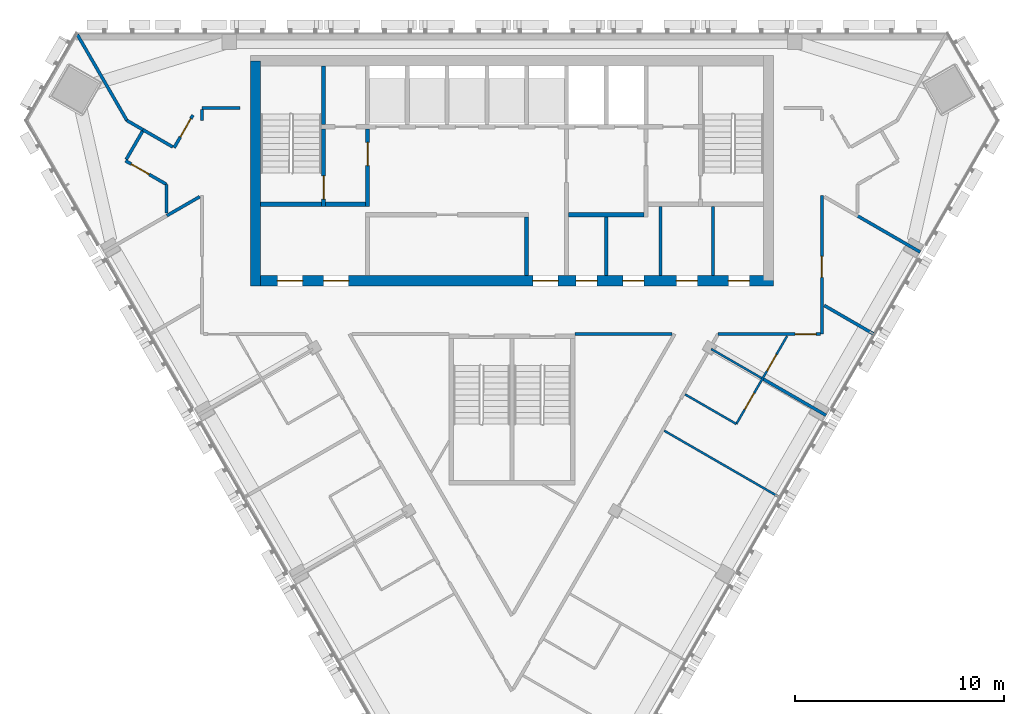
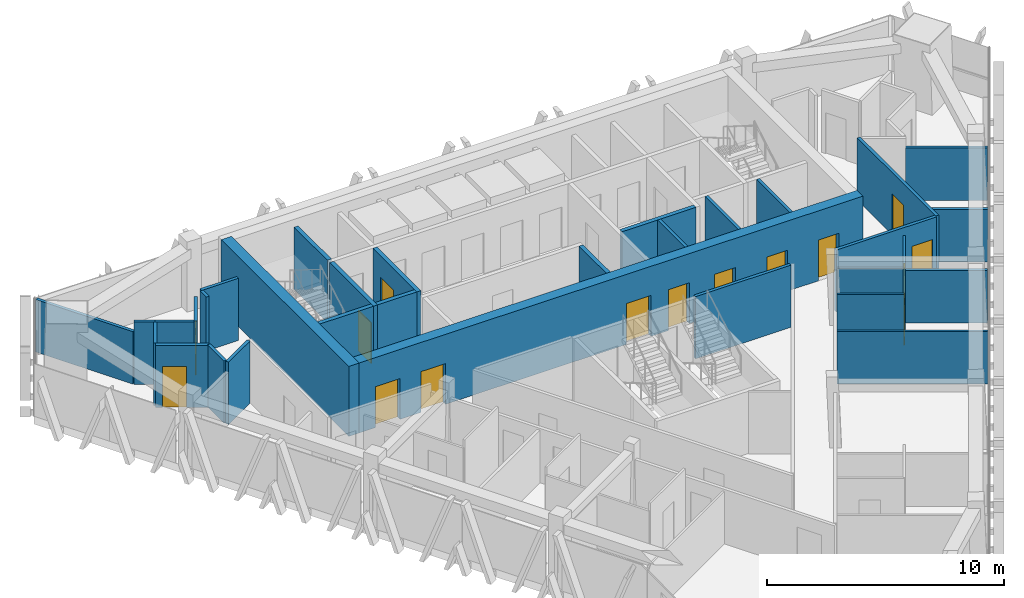
# One storey, part 9 of 14: 32 walls, 15 doors, 15 openings.
"""IFC4 building model written with IfcOpenShell, lengths in metres."""

from ifc_helpers import new_model, si_unit, direction, frame, frame_2d, origin, place, context, subcontext, project, spatial, rectangle, extrude, material, layer, layer_set, type_object, element, fill, save


model = new_model("IFC4")

# Units and contexts
model_context = context("Model", 3, precision=1e-05, world=origin(), true_north=direction((0.0, 1.0)))
body_context = subcontext(model_context, "Body", "Model", "MODEL_VIEW")
ifc_project = project(units=[si_unit("LENGTHUNIT", "METRE"), si_unit("AREAUNIT", "SQUARE_METRE"), si_unit("VOLUMEUNIT", "CUBIC_METRE"), si_unit("PLANEANGLEUNIT", "RADIAN"), si_unit("MASSUNIT", "GRAM", prefix="KILO")], contexts=[model_context])

# Site, building, storey
site_placement = place(None, origin())
site = spatial("IfcSite", under=ifc_project, at=site_placement, CompositionType="ELEMENT")
building_placement = place(site_placement, origin())
building = spatial("IfcBuilding", under=site, at=building_placement, Name="Altiplano Prism Tower", CompositionType="ELEMENT")
storey_placement = place(building_placement, frame((0.0, 0.0, 268.0)))
storey = spatial("IfcBuildingStorey", under=building, at=storey_placement, Name="L69", CompositionType="ELEMENT", Elevation=268.0)

# Wall, openings, doors
ifc_material_1 = material(Name="Concrete C60/75", Category="concrete")
ifc_layer_1 = layer(ifc_material_1, 0.5)
ifc_layer_set_1 = layer_set([ifc_layer_1], Name="Concrete C60/75")
wall_type_1 = type_object("IfcWallType", Name="Core wall 500", PredefinedType="SHEAR", material=ifc_layer_set_1)
wall_1_placement = place(storey_placement, frame((72.75, 93.14990234375, 0.0), z_axis=(0.0, 0.0, 1.0), x_axis=(1.0, 0.0, 0.0)))
wall_1 = element("IfcWall", 1, at=wall_1_placement, inside=storey, type_object=wall_type_1, Name="Core wall S L69", PredefinedType="SHEAR", context=body_context, shape_type="SweptSolid", body=[
    extrude(rectangle(XDim=24.75, YDim=0.5, at=frame_2d((12.375, 0.0))), origin(), (0.0, 0.0, 1.0), 3.60009765625),
])
opening_1_placement = place(wall_1_placement, frame((1.050048828125, 0.0, 0.0)))
opening_1 = element("IfcOpeningElement", 2, at=opening_1_placement, cuts=wall_1, Name="Opening D3552", PredefinedType="OPENING", context=body_context, shape_type="SweptSolid", body=[
    extrude(rectangle(XDim=1.199951171875, YDim=2.10009765625, at=frame_2d((0.60009765625, 1.050048828125))), frame((0.0, 0.260498046875, 0.0), z_axis=(0.0, -1.0, 0.0), x_axis=(1.0, 0.0, 0.0)), (0.0, 0.0, 1.0), 0.52099609375),
])
opening_2_placement = place(wall_1_placement, frame((3.25, 0.0, 0.0)))
opening_2 = element("IfcOpeningElement", 3, at=opening_2_placement, cuts=wall_1, Name="Opening D3553", PredefinedType="OPENING", context=body_context, shape_type="SweptSolid", body=[
    extrude(rectangle(XDim=1.199951171875, YDim=2.10009765625, at=frame_2d((0.60009765625, 1.050048828125))), frame((0.0, 0.260498046875, 0.0), z_axis=(0.0, -1.0, 0.0), x_axis=(1.0, 0.0, 0.0)), (0.0, 0.0, 1.0), 0.52099609375),
])
opening_3_placement = place(wall_1_placement, frame((13.25, 0.0, 0.0)))
opening_3 = element("IfcOpeningElement", 4, at=opening_3_placement, cuts=wall_1, Name="Opening D3554", PredefinedType="OPENING", context=body_context, shape_type="SweptSolid", body=[
    extrude(rectangle(XDim=1.199951171875, YDim=2.10009765625, at=frame_2d((0.60009765625, 1.050048828125))), frame((0.0, 0.260498046875, 0.0), z_axis=(0.0, -1.0, 0.0), x_axis=(1.0, 0.0, 0.0)), (0.0, 0.0, 1.0), 0.52099609375),
])
opening_4_placement = place(wall_1_placement, frame((15.3125, 0.0, 0.0)))
opening_4 = element("IfcOpeningElement", 5, at=opening_4_placement, cuts=wall_1, Name="Opening D3557", PredefinedType="OPENING", context=body_context, shape_type="SweptSolid", body=[
    extrude(rectangle(XDim=1.0, YDim=2.10009765625, at=frame_2d((0.5, 1.050048828125))), frame((0.0, 0.260498046875, 0.0), z_axis=(0.0, -1.0, 0.0), x_axis=(1.0, 0.0, 0.0)), (0.0, 0.0, 1.0), 0.52099609375),
])
opening_5_placement = place(wall_1_placement, frame((17.550048828125, 0.0, 0.0)))
opening_5 = element("IfcOpeningElement", 6, at=opening_5_placement, cuts=wall_1, Name="Opening D3558", PredefinedType="OPENING", context=body_context, shape_type="SweptSolid", body=[
    extrude(rectangle(XDim=1.0, YDim=2.10009765625, at=frame_2d((0.5, 1.050048828125))), frame((0.0, 0.260498046875, 0.0), z_axis=(0.0, -1.0, 0.0), x_axis=(1.0, 0.0, 0.0)), (0.0, 0.0, 1.0), 0.52099609375),
])
opening_6_placement = place(wall_1_placement, frame((20.10009765625, 0.0, 0.0)))
opening_6 = element("IfcOpeningElement", 7, at=opening_6_placement, cuts=wall_1, Name="Opening D3559", PredefinedType="OPENING", context=body_context, shape_type="SweptSolid", body=[
    extrude(rectangle(XDim=1.0, YDim=2.10009765625, at=frame_2d((0.5, 1.050048828125))), frame((0.0, 0.260498046875, 0.0), z_axis=(0.0, -1.0, 0.0), x_axis=(1.0, 0.0, 0.0)), (0.0, 0.0, 1.0), 0.52099609375),
])
opening_7_placement = place(wall_1_placement, frame((22.58740234375, 0.0, 0.0)))
opening_7 = element("IfcOpeningElement", 8, at=opening_7_placement, cuts=wall_1, Name="Opening D3560", PredefinedType="OPENING", context=body_context, shape_type="SweptSolid", body=[
    extrude(rectangle(XDim=1.0, YDim=2.10009765625, at=frame_2d((0.5, 1.050048828125))), frame((0.0, 0.260498046875, 0.0), z_axis=(0.0, -1.0, 0.0), x_axis=(1.0, 0.0, 0.0)), (0.0, 0.0, 1.0), 0.52099609375),
])
ifc_material_2 = material(Name="Fire-rated steel door", Category="steel")
door_type_1 = type_object("IfcDoorType", Name="Core room door 1000 x 2100", OperationType="NOTDEFINED", PredefinedType="NOTDEFINED", material=ifc_material_2)
door_1_placement = place(opening_4_placement, origin())
door_1 = element("IfcDoor", 9, at=door_1_placement, inside=storey, type_object=door_type_1, Name="Core room door D3557", OperationType="SINGLE_SWING_RIGHT", OverallHeight=2.10009765625, OverallWidth=1.0, PredefinedType="NOTDEFINED", context=body_context, shape_type="SweptSolid", body=[
    extrude(rectangle(XDim=1.0, YDim=2.10009765625, at=frame_2d((0.5, 1.050048828125))), frame((0.0, 0.02490234375, 0.0), z_axis=(0.0, -1.0, 0.0), x_axis=(1.0, 0.0, 0.0)), (0.0, 0.0, 1.0), 0.050048828125),
])
fill(opening_4, door_1)
door_2_placement = place(opening_5_placement, origin())
door_2 = element("IfcDoor", 10, at=door_2_placement, inside=storey, type_object=door_type_1, Name="Core room door D3558", OperationType="SINGLE_SWING_LEFT", OverallHeight=2.10009765625, OverallWidth=1.0, PredefinedType="NOTDEFINED", context=body_context, shape_type="SweptSolid", body=[
    extrude(rectangle(XDim=1.0, YDim=2.10009765625, at=frame_2d((0.5, 1.050048828125))), frame((0.0, 0.02490234375, 0.0), z_axis=(0.0, -1.0, 0.0), x_axis=(1.0, 0.0, 0.0)), (0.0, 0.0, 1.0), 0.050048828125),
])
fill(opening_5, door_2)
door_3_placement = place(opening_6_placement, origin())
door_3 = element("IfcDoor", 11, at=door_3_placement, inside=storey, type_object=door_type_1, Name="Core room door D3559", OperationType="SINGLE_SWING_RIGHT", OverallHeight=2.10009765625, OverallWidth=1.0, PredefinedType="NOTDEFINED", context=body_context, shape_type="SweptSolid", body=[
    extrude(rectangle(XDim=1.0, YDim=2.10009765625, at=frame_2d((0.5, 1.050048828125))), frame((0.0, 0.02490234375, 0.0), z_axis=(0.0, -1.0, 0.0), x_axis=(1.0, 0.0, 0.0)), (0.0, 0.0, 1.0), 0.050048828125),
])
fill(opening_6, door_3)
door_4_placement = place(opening_7_placement, origin())
door_4 = element("IfcDoor", 12, at=door_4_placement, inside=storey, type_object=door_type_1, Name="Core room door D3560", OperationType="SINGLE_SWING_LEFT", OverallHeight=2.10009765625, OverallWidth=1.0, PredefinedType="NOTDEFINED", context=body_context, shape_type="SweptSolid", body=[
    extrude(rectangle(XDim=1.0, YDim=2.10009765625, at=frame_2d((0.5, 1.050048828125))), frame((0.0, 0.02490234375, 0.0), z_axis=(0.0, -1.0, 0.0), x_axis=(1.0, 0.0, 0.0)), (0.0, 0.0, 1.0), 0.050048828125),
])
fill(opening_7, door_4)
door_type_2 = type_object("IfcDoorType", Name="Lobby fire door 1200 x 2100", OperationType="NOTDEFINED", PredefinedType="NOTDEFINED", material=ifc_material_2)
door_5_placement = place(opening_1_placement, origin())
door_5 = element("IfcDoor", 13, at=door_5_placement, inside=storey, type_object=door_type_2, Name="Lobby fire door D3552", OperationType="SINGLE_SWING_RIGHT", OverallHeight=2.10009765625, OverallWidth=1.199951171875, PredefinedType="NOTDEFINED", context=body_context, shape_type="SweptSolid", body=[
    extrude(rectangle(XDim=1.199951171875, YDim=2.10009765625, at=frame_2d((0.60009765625, 1.050048828125))), frame((0.0, 0.02490234375, 0.0), z_axis=(0.0, -1.0, 0.0), x_axis=(1.0, 0.0, 0.0)), (0.0, 0.0, 1.0), 0.050048828125),
])
fill(opening_1, door_5)
door_6_placement = place(opening_2_placement, origin())
door_6 = element("IfcDoor", 14, at=door_6_placement, inside=storey, type_object=door_type_2, Name="Lobby fire door D3553", OperationType="SINGLE_SWING_LEFT", OverallHeight=2.10009765625, OverallWidth=1.199951171875, PredefinedType="NOTDEFINED", context=body_context, shape_type="SweptSolid", body=[
    extrude(rectangle(XDim=1.199951171875, YDim=2.10009765625, at=frame_2d((0.60009765625, 1.050048828125))), frame((0.0, 0.02490234375, 0.0), z_axis=(0.0, -1.0, 0.0), x_axis=(1.0, 0.0, 0.0)), (0.0, 0.0, 1.0), 0.050048828125),
])
fill(opening_2, door_6)
door_7_placement = place(opening_3_placement, origin())
door_7 = element("IfcDoor", 15, at=door_7_placement, inside=storey, type_object=door_type_2, Name="Lobby fire door D3554", OperationType="SINGLE_SWING_RIGHT", OverallHeight=2.10009765625, OverallWidth=1.199951171875, PredefinedType="NOTDEFINED", context=body_context, shape_type="SweptSolid", body=[
    extrude(rectangle(XDim=1.199951171875, YDim=2.10009765625, at=frame_2d((0.60009765625, 1.050048828125))), frame((0.0, 0.02490234375, 0.0), z_axis=(0.0, -1.0, 0.0), x_axis=(1.0, 0.0, 0.0)), (0.0, 0.0, 1.0), 0.050048828125),
])
fill(opening_3, door_7)

# Wall
wall_2_placement = place(storey_placement, frame((72.75, 103.64990234375, 0.0), z_axis=(0.0, 0.0, 1.0), x_axis=(0.0, -1.0, 0.0)))
element("IfcWall", 16, at=wall_2_placement, inside=storey, type_object=wall_type_1, Name="Core wall W L69", PredefinedType="SHEAR", context=body_context, shape_type="SweptSolid", body=[
    extrude(rectangle(XDim=10.75, YDim=0.5, at=frame_2d((5.375, 0.0))), origin(), (0.0, 0.0, 1.0), 3.60009765625),
])

# Wall, openings, doors
ifc_material_3 = material(Name="Plasterboard on steel stud", Category="steel")
ifc_layer_2 = layer(ifc_material_3, 0.10009765625)
ifc_layer_set_2 = layer_set([ifc_layer_2], Name="Plasterboard on steel stud")
wall_type_2 = type_object("IfcWallType", Name="Partition 100 unit", PredefinedType="PARTITIONING", material=ifc_layer_set_2)
wall_3_placement = place(storey_placement, frame((98.134765625, 90.5, 0.0), z_axis=(0.0, 0.0, 1.0), x_axis=(-0.50000034515, -0.866025204512, 0.0)))
wall_3 = element("IfcWall", 17, at=wall_3_placement, inside=storey, type_object=wall_type_2, Name="Partition P02 L69 050", PredefinedType="PARTITIONING", context=body_context, shape_type="SweptSolid", body=[
    extrude(rectangle(XDim=4.841796875, YDim=0.10009765625, at=frame_2d((2.4208984375, 0.0))), origin(), (0.0, 0.0, 1.0), 2.800048828125),
])
opening_8_placement = place(wall_3_placement, frame((3.14208984375, 0.0, 0.0)))
opening_8 = element("IfcOpeningElement", 18, at=opening_8_placement, cuts=wall_3, Name="Opening D2197", PredefinedType="OPENING", context=body_context, shape_type="SweptSolid", body=[
    extrude(rectangle(XDim=0.89990234375, YDim=2.10009765625, at=frame_2d((0.449951171875, 1.050048828125))), frame((0.0, 0.060546875, 0.0), z_axis=(0.0, -1.0, 0.0), x_axis=(1.0, 0.0, 0.0)), (0.0, 0.0, 1.0), 0.12109375),
])
opening_9_placement = place(wall_3_placement, frame((1.010009765625, 0.0, 0.0)))
opening_9 = element("IfcOpeningElement", 19, at=opening_9_placement, cuts=wall_3, Name="Opening D2199", PredefinedType="OPENING", context=body_context, shape_type="SweptSolid", body=[
    extrude(rectangle(XDim=0.89990234375, YDim=2.10009765625, at=frame_2d((0.449951171875, 1.050048828125))), frame((0.0, 0.060546875, 0.0), z_axis=(0.0, -1.0, 0.0), x_axis=(1.0, 0.0, 0.0)), (0.0, 0.0, 1.0), 0.12109375),
])
ifc_material_4 = material(Name="Timber", Category="wood")
door_type_3 = type_object("IfcDoorType", Name="Ensuite door 900 x 2100", OperationType="NOTDEFINED", PredefinedType="NOTDEFINED", material=ifc_material_4)
door_8_placement = place(opening_8_placement, origin())
door_8 = element("IfcDoor", 20, at=door_8_placement, inside=storey, type_object=door_type_3, Name="Door D2197", OperationType="SINGLE_SWING_RIGHT", OverallHeight=2.10009765625, OverallWidth=0.89990234375, PredefinedType="NOTDEFINED", context=body_context, shape_type="SweptSolid", body=[
    extrude(rectangle(XDim=0.89990234375, YDim=2.10009765625, at=frame_2d((0.449951171875, 1.050048828125))), frame((0.0, 0.02490234375, 0.0), z_axis=(0.0, -1.0, 0.0), x_axis=(1.0, 0.0, 0.0)), (0.0, 0.0, 1.0), 0.050048828125),
])
fill(opening_8, door_8)
door_9_placement = place(opening_9_placement, origin())
door_9 = element("IfcDoor", 21, at=door_9_placement, inside=storey, type_object=door_type_3, Name="Door D2199", OperationType="SINGLE_SWING_LEFT", OverallHeight=2.10009765625, OverallWidth=0.89990234375, PredefinedType="NOTDEFINED", context=body_context, shape_type="SweptSolid", body=[
    extrude(rectangle(XDim=0.89990234375, YDim=2.10009765625, at=frame_2d((0.449951171875, 1.050048828125))), frame((0.0, 0.02490234375, 0.0), z_axis=(0.0, -1.0, 0.0), x_axis=(1.0, 0.0, 0.0)), (0.0, 0.0, 1.0), 0.050048828125),
])
fill(opening_9, door_9)

# Walls
wall_4_placement = place(storey_placement, frame((95.7138671875, 86.306884765625, 0.0), z_axis=(0.0, 0.0, 1.0), x_axis=(-0.865989837833, 0.500061596976, 0.0)))
element("IfcWall", 22, at=wall_4_placement, inside=storey, type_object=wall_type_2, Name="Partition P02 L69 051", PredefinedType="PARTITIONING", context=body_context, shape_type="SweptSolid", body=[
    extrude(rectangle(XDim=2.824951171875, YDim=0.10009765625, at=frame_2d((1.41259765625, 0.0))), origin(), (0.0, 0.0, 1.0), 3.199951171875),
])
ifc_layer_3 = layer(ifc_material_3, 0.10009765625)
ifc_layer_set_3 = layer_set([ifc_layer_3], Name="Plasterboard on steel stud")
wall_type_3 = type_object("IfcWallType", Name="Partition 100 wet", PredefinedType="PARTITIONING", material=ifc_layer_set_3)
wall_5_placement = place(storey_placement, frame((97.762451171875, 82.814697265625, 0.0), z_axis=(0.0, 0.0, 1.0), x_axis=(-0.866025401434, 0.500000004071, 0.0)))
element("IfcWall", 23, at=wall_5_placement, inside=storey, type_object=wall_type_3, Name="Partition P03 L69 049", PredefinedType="PARTITIONING", context=body_context, shape_type="SweptSolid", body=[
    extrude(rectangle(XDim=6.34521484375, YDim=0.10009765625, at=frame_2d((3.172607421875, 0.0))), origin(), (0.0, 0.0, 1.0), 2.699951171875),
])
wall_6_placement = place(storey_placement, frame((96.920654296875, 88.4970703125, 0.0), z_axis=(0.0, 0.0, 1.0), x_axis=(-0.866020020486, 0.50000932403, 0.0)))
element("IfcWall", 24, at=wall_6_placement, inside=storey, type_object=wall_type_3, Name="Partition P03 L69 053", PredefinedType="PARTITIONING", context=body_context, shape_type="SweptSolid", body=[
    extrude(rectangle(XDim=2.77490234375, YDim=0.10009765625, at=frame_2d((1.387451171875, 0.0))), origin(), (0.0, 0.0, 1.0), 2.800048828125),
])
ifc_layer_4 = layer(ifc_material_3, 0.14990234375)
ifc_layer_set_4 = layer_set([ifc_layer_4], Name="Plasterboard on steel stud")
wall_type_4 = type_object("IfcWallType", Name="Partition 150 corridor", PredefinedType="PARTITIONING", material=ifc_layer_set_4)
wall_7_placement = place(storey_placement, frame((88.0, 90.59912109375, 0.0), z_axis=(0.0, 0.0, 1.0), x_axis=(0.999999987518, 0.000158002842, 0.0)))
element("IfcWall", 25, at=wall_7_placement, inside=storey, type_object=wall_type_4, Name="Partition P06 L69 002", PredefinedType="PARTITIONING", context=body_context, shape_type="SweptSolid", body=[
    extrude(rectangle(XDim=4.635498046875, YDim=0.14990234375, at=frame_2d((2.31787109375, 0.0))), origin(), (0.0, 0.0, 1.0), 3.199951171875),
])
wall_8_placement = place(storey_placement, frame((67.353271484375, 100.28515625, 0.0), z_axis=(0.0, 0.0, 1.0), x_axis=(-0.500017819788, -0.86601511528, 0.0)))
element("IfcWall", 26, at=wall_8_placement, inside=storey, type_object=wall_type_4, Name="Partition P06 L69 005", PredefinedType="PARTITIONING", context=body_context, shape_type="SweptSolid", body=[
    extrude(rectangle(XDim=1.55029296875, YDim=0.14990234375, at=frame_2d((0.775146484375, 0.0))), origin(), (0.0, 0.0, 1.0), 3.199951171875),
])

# Wall, opening, door
wall_9_placement = place(storey_placement, frame((66.540771484375, 98.877685546875, 0.0), z_axis=(0.0, 0.0, 1.0), x_axis=(0.866036427558, -0.499980905779, 0.0)))
wall_9 = element("IfcWall", 27, at=wall_9_placement, inside=storey, type_object=wall_type_4, Name="Partition P06 L69 006", PredefinedType="PARTITIONING", context=body_context, shape_type="SweptSolid", body=[
    extrude(rectangle(XDim=2.26220703125, YDim=0.14990234375, at=frame_2d((1.131103515625, 0.0))), origin(), (0.0, 0.0, 1.0), 3.199951171875),
])
opening_10_placement = place(wall_9_placement, frame((0.30908203125, 0.0, 0.0)))
opening_10 = element("IfcOpeningElement", 28, at=opening_10_placement, cuts=wall_9, Name="Opening D2182", PredefinedType="OPENING", context=body_context, shape_type="SweptSolid", body=[
    extrude(rectangle(XDim=1.0, YDim=2.10009765625, at=frame_2d((0.5, 1.050048828125))), frame((0.0, 0.08544921875, 0.0), z_axis=(0.0, -1.0, 0.0), x_axis=(1.0, 0.0, 0.0)), (0.0, 0.0, 1.0), 0.1708984375),
])
door_type_4 = type_object("IfcDoorType", Name="Room door 1000 x 2100", OperationType="NOTDEFINED", PredefinedType="NOTDEFINED", material=ifc_material_4)
door_10_placement = place(opening_10_placement, origin())
door_10 = element("IfcDoor", 29, at=door_10_placement, inside=storey, type_object=door_type_4, Name="Door D2182", OperationType="SINGLE_SWING_RIGHT", OverallHeight=2.10009765625, OverallWidth=1.0, PredefinedType="NOTDEFINED", context=body_context, shape_type="SweptSolid", body=[
    extrude(rectangle(XDim=1.0, YDim=2.10009765625, at=frame_2d((0.5, 1.050048828125))), frame((0.0, 0.02490234375, 0.0), z_axis=(0.0, -1.0, 0.0), x_axis=(1.0, 0.0, 0.0)), (0.0, 0.0, 1.0), 0.050048828125),
])
fill(opening_10, door_10)

# Walls
wall_10_placement = place(storey_placement, frame((68.5, 97.74658203125, 0.0), z_axis=(0.0, 0.0, 1.0), x_axis=(0.0, -1.0, 0.0)))
element("IfcWall", 30, at=wall_10_placement, inside=storey, type_object=wall_type_4, Name="Partition P06 L69 007", PredefinedType="PARTITIONING", context=body_context, shape_type="SweptSolid", body=[
    extrude(rectangle(XDim=1.371337890625, YDim=0.14990234375, at=frame_2d((0.685546875, 0.0))), origin(), (0.0, 0.0, 1.0), 3.199951171875),
])
wall_11_placement = place(storey_placement, frame((68.52001953125, 96.257080078125, 0.0), z_axis=(0.0, 0.0, 1.0), x_axis=(0.866059791431, 0.499940434119, 0.0)))
element("IfcWall", 31, at=wall_11_placement, inside=storey, type_object=wall_type_4, Name="Partition P06 L69 008", PredefinedType="PARTITIONING", context=body_context, shape_type="SweptSolid", body=[
    extrude(rectangle(XDim=1.809814453125, YDim=0.14990234375, at=frame_2d((0.90478515625, 0.0))), origin(), (0.0, 0.0, 1.0), 3.199951171875),
])

# Wall, opening, door
wall_12_placement = place(storey_placement, frame((94.843994140625, 90.60009765625, 0.0), z_axis=(0.0, 0.0, 1.0), x_axis=(1.0, 0.0, 0.0)))
wall_12 = element("IfcWall", 32, at=wall_12_placement, inside=storey, type_object=wall_type_4, Name="Partition P06 L69 013", PredefinedType="PARTITIONING", context=body_context, shape_type="SweptSolid", body=[
    extrude(rectangle(XDim=4.881103515625, YDim=0.14990234375, at=frame_2d((2.4404296875, 0.0))), origin(), (0.0, 0.0, 1.0), 3.199951171875),
])
opening_11_placement = place(wall_12_placement, frame((3.680908203125, 0.0, 0.0)))
opening_11 = element("IfcOpeningElement", 33, at=opening_11_placement, cuts=wall_12, Name="Opening D2198", PredefinedType="OPENING", context=body_context, shape_type="SweptSolid", body=[
    extrude(rectangle(XDim=1.0, YDim=2.10009765625, at=frame_2d((0.5, 1.050048828125))), frame((0.0, 0.08544921875, 0.0), z_axis=(0.0, -1.0, 0.0), x_axis=(1.0, 0.0, 0.0)), (0.0, 0.0, 1.0), 0.1708984375),
])
door_type_5 = type_object("IfcDoorType", Name="Bedroom entrance door 1000 x 2100", OperationType="NOTDEFINED", PredefinedType="NOTDEFINED", material=ifc_material_4)
door_11_placement = place(opening_11_placement, origin())
door_11 = element("IfcDoor", 34, at=door_11_placement, inside=storey, type_object=door_type_5, Name="Door D2198", OperationType="SINGLE_SWING_RIGHT", OverallHeight=2.10009765625, OverallWidth=1.0, PredefinedType="NOTDEFINED", context=body_context, shape_type="SweptSolid", body=[
    extrude(rectangle(XDim=1.0, YDim=2.10009765625, at=frame_2d((0.5, 1.050048828125))), frame((0.0, 0.02490234375, 0.0), z_axis=(0.0, -1.0, 0.0), x_axis=(1.0, 0.0, 0.0)), (0.0, 0.0, 1.0), 0.050048828125),
])
fill(opening_11, door_11)

wall_13_placement = place(storey_placement, frame((99.800048828125, 90.60009765625, 0.0), z_axis=(0.0, 0.0, 1.0), x_axis=(0.0, 1.0, 0.0)))
wall_13 = element("IfcWall", 35, at=wall_13_placement, inside=storey, type_object=wall_type_4, Name="Partition P06 L69 014", PredefinedType="PARTITIONING", context=body_context, shape_type="SweptSolid", body=[
    extrude(rectangle(XDim=6.626953125, YDim=0.14990234375, at=frame_2d((3.3134765625, 0.0))), origin(), (0.0, 0.0, 1.0), 3.199951171875),
])
opening_12_placement = place(wall_13_placement, frame((2.7060546875, 0.0, 0.0)))
opening_12 = element("IfcOpeningElement", 36, at=opening_12_placement, cuts=wall_13, Name="Opening D2200", PredefinedType="OPENING", context=body_context, shape_type="SweptSolid", body=[
    extrude(rectangle(XDim=1.0, YDim=2.10009765625, at=frame_2d((0.5, 1.050048828125))), frame((0.0, 0.08544921875, 0.0), z_axis=(0.0, -1.0, 0.0), x_axis=(1.0, 0.0, 0.0)), (0.0, 0.0, 1.0), 0.1708984375),
])
door_12_placement = place(opening_12_placement, origin())
door_12 = element("IfcDoor", 37, at=door_12_placement, inside=storey, type_object=door_type_4, Name="Door D2200", OperationType="SINGLE_SWING_LEFT", OverallHeight=2.10009765625, OverallWidth=1.0, PredefinedType="NOTDEFINED", context=body_context, shape_type="SweptSolid", body=[
    extrude(rectangle(XDim=1.0, YDim=2.10009765625, at=frame_2d((0.5, 1.050048828125))), frame((0.0, 0.02490234375, 0.0), z_axis=(0.0, -1.0, 0.0), x_axis=(1.0, 0.0, 0.0)), (0.0, 0.0, 1.0), 0.050048828125),
])
fill(opening_12, door_12)

# Walls
wall_14_placement = place(storey_placement, frame((72.0, 101.39990234375, 0.0), z_axis=(0.0, 0.0, 1.0), x_axis=(-1.0, 0.0, 0.0)))
element("IfcWall", 38, at=wall_14_placement, inside=storey, type_object=wall_type_4, Name="Partition P06 L69 019", PredefinedType="PARTITIONING", context=body_context, shape_type="SweptSolid", body=[
    extrude(rectangle(XDim=1.800048828125, YDim=0.14990234375, at=frame_2d((0.89990234375, 0.0))), origin(), (0.0, 0.0, 1.0), 3.199951171875),
])
wall_15_placement = place(storey_placement, frame((70.199951171875, 101.324951171875, 0.0), z_axis=(0.0, 0.0, 1.0), x_axis=(0.0, -1.0, 0.0)))
element("IfcWall", 39, at=wall_15_placement, inside=storey, type_object=wall_type_4, Name="Partition P06 L69 020", PredefinedType="PARTITIONING", context=body_context, shape_type="SweptSolid", body=[
    extrude(rectangle(XDim=0.5185546875, YDim=0.14990234375, at=frame_2d((0.25927734375, 0.0))), origin(), (0.0, 0.0, 1.0), 3.199951171875),
])

# Wall, opening, door
wall_16_placement = place(storey_placement, frame((69.762939453125, 101.058837890625, 0.0), z_axis=(0.0, 0.0, 1.0), x_axis=(-0.499961193289, -0.866047807691, 0.0)))
wall_16 = element("IfcWall", 40, at=wall_16_placement, inside=storey, type_object=wall_type_4, Name="Partition P06 L69 021", PredefinedType="PARTITIONING", context=body_context, shape_type="SweptSolid", body=[
    extrude(rectangle(XDim=1.800048828125, YDim=0.14990234375, at=frame_2d((0.89990234375, 0.0))), origin(), (0.0, 0.0, 1.0), 3.199951171875),
])
opening_13_placement = place(wall_16_placement, frame((0.199951171875, 0.0, 0.0)))
opening_13 = element("IfcOpeningElement", 41, at=opening_13_placement, cuts=wall_16, Name="Opening D2202", PredefinedType="OPENING", context=body_context, shape_type="SweptSolid", body=[
    extrude(rectangle(XDim=1.0, YDim=2.10009765625, at=frame_2d((0.5, 1.050048828125))), frame((0.0, 0.08544921875, 0.0), z_axis=(0.0, -1.0, 0.0), x_axis=(1.0, 0.0, 0.0)), (0.0, 0.0, 1.0), 0.1708984375),
])
door_13_placement = place(opening_13_placement, origin())
door_13 = element("IfcDoor", 42, at=door_13_placement, inside=storey, type_object=door_type_4, Name="Door D2202", OperationType="SINGLE_SWING_LEFT", OverallHeight=2.10009765625, OverallWidth=1.0, PredefinedType="NOTDEFINED", context=body_context, shape_type="SweptSolid", body=[
    extrude(rectangle(XDim=1.0, YDim=2.10009765625, at=frame_2d((0.5, 1.050048828125))), frame((0.0, 0.02490234375, 0.0), z_axis=(0.0, -1.0, 0.0), x_axis=(1.0, 0.0, 0.0)), (0.0, 0.0, 1.0), 0.050048828125),
])
fill(opening_13, door_13)

# Walls
wall_17_placement = place(storey_placement, frame((68.798095703125, 99.53759765625, 0.0), z_axis=(0.0, 0.0, 1.0), x_axis=(-0.866052144996, 0.499953680002, 0.0)))
element("IfcWall", 43, at=wall_17_placement, inside=storey, type_object=wall_type_4, Name="Partition P06 L69 022", PredefinedType="PARTITIONING", context=body_context, shape_type="SweptSolid", body=[
    extrude(rectangle(XDim=1.645263671875, YDim=0.14990234375, at=frame_2d((0.82275390625, 0.0))), origin(), (0.0, 0.0, 1.0), 3.199951171875),
])
ifc_layer_5 = layer(ifc_material_3, 0.14990234375)
ifc_layer_set_5 = layer_set([ifc_layer_5], Name="Plasterboard on steel stud")
wall_type_5 = type_object("IfcWallType", Name="Partition 150 party", PredefinedType="PARTITIONING", material=ifc_layer_set_5)
wall_18_placement = place(storey_placement, frame((67.373291015625, 100.360107421875, 0.0), z_axis=(0.0, 0.0, 1.0), x_axis=(-0.865974036371, 0.500088960417, 0.0)))
element("IfcWall", 44, at=wall_18_placement, inside=storey, type_object=wall_type_5, Name="Partition P01 L69 030", PredefinedType="PARTITIONING", context=body_context, shape_type="SweptSolid", body=[
    extrude(rectangle(XDim=0.884033203125, YDim=0.14990234375, at=frame_2d((0.44189453125, 0.0))), origin(), (0.0, 0.0, 1.0), 3.199951171875),
])
wall_19_placement = place(storey_placement, frame((66.607666015625, 100.80224609375, 0.0), z_axis=(0.0, 0.0, 1.0), x_axis=(-0.500029142445, 0.866008577732, 0.0)))
element("IfcWall", 45, at=wall_19_placement, inside=storey, type_object=wall_type_5, Name="Partition P01 L69 031", PredefinedType="PARTITIONING", context=body_context, shape_type="SweptSolid", body=[
    extrude(rectangle(XDim=4.731689453125, YDim=0.14990234375, at=frame_2d((2.36572265625, 0.0))), origin(), (0.0, 0.0, 1.0), 2.699951171875),
])
wall_20_placement = place(storey_placement, frame((99.9951171875, 86.721923828125, 0.0), z_axis=(0.0, 0.0, 1.0), x_axis=(-0.866013532718, 0.500020560727, 0.0)))
element("IfcWall", 46, at=wall_20_placement, inside=storey, type_object=wall_type_5, Name="Partition P01 L69 052", PredefinedType="PARTITIONING", context=body_context, shape_type="SweptSolid", body=[
    extrude(rectangle(XDim=3.449951171875, YDim=0.14990234375, at=frame_2d((1.72509765625, 0.0))), origin(), (0.0, 0.0, 1.0), 2.699951171875),
])
wall_21_placement = place(storey_placement, frame((102.262451171875, 90.609130859375, 0.0), z_axis=(0.0, 0.0, 1.0), x_axis=(-0.866025261224, 0.500000246922, 0.0)))
element("IfcWall", 47, at=wall_21_placement, inside=storey, type_object=wall_type_5, Name="Partition P01 L69 054", PredefinedType="PARTITIONING", context=body_context, shape_type="SweptSolid", body=[
    extrude(rectangle(XDim=2.71337890625, YDim=0.14990234375, at=frame_2d((1.356689453125, 0.0))), origin(), (0.0, 0.0, 1.0), 2.699951171875),
])
wall_22_placement = place(storey_placement, frame((104.4951171875, 94.516357421875, 0.0), z_axis=(0.0, 0.0, 1.0), x_axis=(-0.866053925764, 0.499950595228, 0.0)))
element("IfcWall", 48, at=wall_22_placement, inside=storey, type_object=wall_type_5, Name="Partition P01 L69 055", PredefinedType="PARTITIONING", context=body_context, shape_type="SweptSolid", body=[
    extrude(rectangle(XDim=3.458251953125, YDim=0.14990234375, at=frame_2d((1.72900390625, 0.0))), origin(), (0.0, 0.0, 1.0), 2.699951171875),
])
ifc_material_5 = material(Name="Fire-rated gypsum board partition")
ifc_layer_6 = layer(ifc_material_5, 0.14990234375)
ifc_layer_set_6 = layer_set([ifc_layer_6], Name="Fire-rated gypsum board partition")
wall_type_6 = type_object("IfcWallType", Name="Room partition 150", PredefinedType="PARTITIONING", material=ifc_layer_set_6)
wall_23_placement = place(storey_placement, frame((89.5, 93.39990234375, 0.0), z_axis=(0.0, 0.0, 1.0), x_axis=(0.0, 1.0, 0.0)))
element("IfcWall", 49, at=wall_23_placement, inside=storey, type_object=wall_type_6, Name="Room partition L69", PredefinedType="PARTITIONING", context=body_context, shape_type="SweptSolid", body=[
    extrude(rectangle(XDim=2.800048828125, YDim=0.14990234375, at=frame_2d((1.39990234375, 0.0))), origin(), (0.0, 0.0, 1.0), 3.199951171875),
])
for number, where, z_axis, x_axis, name in (
    (50, (92.10009765625, 93.39990234375, 0.0), (0.0, 0.0, 1.0), (0.0, 1.0, 0.0), "Room partition L69"),
    (51, (94.60009765625, 93.39990234375, 0.0), (0.0, 0.0, 1.0), (0.0, 1.0, 0.0), "Room partition L69"),
):
    element("IfcWall", number, at=place(storey_placement, frame(where, z_axis=z_axis, x_axis=x_axis)), inside=storey, type_object=wall_type_6, Name=name, PredefinedType="PARTITIONING", context=body_context, shape_type="SweptSolid", body=[
        extrude(rectangle(XDim=3.300048828125, YDim=0.14990234375, at=frame_2d((1.64990234375, 0.0))), origin(), (0.0, 0.0, 1.0), 3.199951171875),
    ])
ifc_layer_7 = layer(ifc_material_1, 0.199951171875)
ifc_layer_set_7 = layer_set([ifc_layer_7], Name="Concrete C60/75")
wall_type_7 = type_object("IfcWallType", Name="Stair wall 200", PredefinedType="SOLIDWALL", material=ifc_layer_set_7)
wall_24_placement = place(storey_placement, frame((73.0, 96.800048828125, 0.0), z_axis=(0.0, 0.0, 1.0), x_axis=(1.0, 0.0, 0.0)))
element("IfcWall", 52, at=wall_24_placement, inside=storey, type_object=wall_type_7, Name="Stair wall L69", PredefinedType="SOLIDWALL", context=body_context, shape_type="SweptSolid", body=[
    extrude(rectangle(XDim=2.89990234375, YDim=0.199951171875, at=frame_2d((1.449951171875, 0.0))), origin(), (0.0, 0.0, 1.0), 3.199951171875),
])

# Wall, opening, door
wall_25_placement = place(storey_placement, frame((76.0, 96.699951171875, 0.0), z_axis=(0.0, 0.0, 1.0), x_axis=(0.0, 1.0, 0.0)))
wall_25 = element("IfcWall", 53, at=wall_25_placement, inside=storey, type_object=wall_type_7, Name="Stair wall L69", PredefinedType="SOLIDWALL", context=body_context, shape_type="SweptSolid", body=[
    extrude(rectangle(XDim=3.699951171875, YDim=0.199951171875, at=frame_2d((1.85009765625, 0.0))), origin(), (0.0, 0.0, 1.0), 3.199951171875),
])
opening_14_placement = place(wall_25_placement, frame((0.35009765625, 0.0, 0.0)))
opening_14 = element("IfcOpeningElement", 54, at=opening_14_placement, cuts=wall_25, Name="Opening D3547", PredefinedType="OPENING", context=body_context, shape_type="SweptSolid", body=[
    extrude(rectangle(XDim=1.10009765625, YDim=2.10009765625, at=frame_2d((0.550048828125, 1.050048828125))), frame((0.0, 0.1103515625, 0.0), z_axis=(0.0, -1.0, 0.0), x_axis=(1.0, 0.0, 0.0)), (0.0, 0.0, 1.0), 0.220947265625),
])
door_type_6 = type_object("IfcDoorType", Name="Stair fire door 1100 x 2100", OperationType="NOTDEFINED", PredefinedType="NOTDEFINED", material=ifc_material_2)
door_14_placement = place(opening_14_placement, origin())
door_14 = element("IfcDoor", 55, at=door_14_placement, inside=storey, type_object=door_type_6, Name="Stair fire door D3547", OperationType="SINGLE_SWING_RIGHT", OverallHeight=2.10009765625, OverallWidth=1.10009765625, PredefinedType="NOTDEFINED", context=body_context, shape_type="SweptSolid", body=[
    extrude(rectangle(XDim=1.10009765625, YDim=2.10009765625, at=frame_2d((0.550048828125, 1.050048828125))), frame((0.0, 0.02490234375, 0.0), z_axis=(0.0, -1.0, 0.0), x_axis=(1.0, 0.0, 0.0)), (0.0, 0.0, 1.0), 0.050048828125),
])
fill(opening_14, door_14)

# Walls
wall_26_placement = place(storey_placement, frame((76.0, 100.60009765625, 0.0), z_axis=(0.0, 0.0, 1.0), x_axis=(0.0, 1.0, 0.0)))
element("IfcWall", 56, at=wall_26_placement, inside=storey, type_object=wall_type_7, Name="Stair wall L69", PredefinedType="SOLIDWALL", context=body_context, shape_type="SweptSolid", body=[
    extrude(rectangle(XDim=2.7998046875, YDim=0.199951171875, at=frame_2d((1.39990234375, 0.0))), origin(), (0.0, 0.0, 1.0), 3.199951171875),
])
ifc_layer_8 = layer(ifc_material_1, 0.199951171875)
ifc_layer_set_8 = layer_set([ifc_layer_8], Name="Concrete C60/75")
wall_type_8 = type_object("IfcWallType", Name="Vestibule wall 200", PredefinedType="PARTITIONING", material=ifc_layer_set_8)
wall_27_placement = place(storey_placement, frame((85.699951171875, 93.39990234375, 0.0), z_axis=(0.0, 0.0, 1.0), x_axis=(0.0, 1.0, 0.0)))
element("IfcWall", 57, at=wall_27_placement, inside=storey, type_object=wall_type_8, Name="Vestibule wall L69", PredefinedType="PARTITIONING", context=body_context, shape_type="SweptSolid", body=[
    extrude(rectangle(XDim=2.800048828125, YDim=0.199951171875, at=frame_2d((1.39990234375, 0.0))), origin(), (0.0, 0.0, 1.0), 3.199951171875),
])
wall_28_placement = place(storey_placement, frame((87.699951171875, 96.300048828125, 0.0), z_axis=(0.0, 0.0, 1.0), x_axis=(1.0, 0.0, 0.0)))
element("IfcWall", 58, at=wall_28_placement, inside=storey, type_object=wall_type_8, Name="Vestibule wall L69", PredefinedType="PARTITIONING", context=body_context, shape_type="SweptSolid", body=[
    extrude(rectangle(XDim=3.60009765625, YDim=0.199951171875, at=frame_2d((1.800048828125, 0.0))), origin(), (0.0, 0.0, 1.0), 3.199951171875),
])
wall_29_placement = place(storey_placement, frame((76.10009765625, 96.800048828125, 0.0), z_axis=(0.0, 0.0, 1.0), x_axis=(1.0, 0.0, 0.0)))
element("IfcWall", 59, at=wall_29_placement, inside=storey, type_object=wall_type_8, Name="Vestibule wall L69", PredefinedType="PARTITIONING", context=body_context, shape_type="SweptSolid", body=[
    extrude(rectangle(XDim=1.89990234375, YDim=0.199951171875, at=frame_2d((0.949951171875, 0.0))), origin(), (0.0, 0.0, 1.0), 3.199951171875),
])

# Wall, opening, door
wall_30_placement = place(storey_placement, frame((78.10009765625, 96.699951171875, 0.0), z_axis=(0.0, 0.0, 1.0), x_axis=(0.0, 1.0, 0.0)))
wall_30 = element("IfcWall", 60, at=wall_30_placement, inside=storey, type_object=wall_type_8, Name="Vestibule wall L69", PredefinedType="PARTITIONING", context=body_context, shape_type="SweptSolid", body=[
    extrude(rectangle(XDim=3.699951171875, YDim=0.199951171875, at=frame_2d((1.85009765625, 0.0))), origin(), (0.0, 0.0, 1.0), 3.199951171875),
])
opening_15_placement = place(wall_30_placement, frame((1.949951171875, 0.0, 0.0)))
opening_15 = element("IfcOpeningElement", 61, at=opening_15_placement, cuts=wall_30, Name="Opening D3549", PredefinedType="OPENING", context=body_context, shape_type="SweptSolid", body=[
    extrude(rectangle(XDim=1.10009765625, YDim=2.10009765625, at=frame_2d((0.550048828125, 1.050048828125))), frame((0.0, 0.1103515625, 0.0), z_axis=(0.0, -1.0, 0.0), x_axis=(1.0, 0.0, 0.0)), (0.0, 0.0, 1.0), 0.220947265625),
])
door_type_7 = type_object("IfcDoorType", Name="Vestibule fire door 1100 x 2100", OperationType="NOTDEFINED", PredefinedType="NOTDEFINED", material=ifc_material_2)
door_15_placement = place(opening_15_placement, origin())
door_15 = element("IfcDoor", 62, at=door_15_placement, inside=storey, type_object=door_type_7, Name="Vestibule fire door D3549", OperationType="SINGLE_SWING_LEFT", OverallHeight=2.10009765625, OverallWidth=1.10009765625, PredefinedType="NOTDEFINED", context=body_context, shape_type="SweptSolid", body=[
    extrude(rectangle(XDim=1.10009765625, YDim=2.10009765625, at=frame_2d((0.550048828125, 1.050048828125))), frame((0.0, 0.02490234375, 0.0), z_axis=(0.0, -1.0, 0.0), x_axis=(1.0, 0.0, 0.0)), (0.0, 0.0, 1.0), 0.050048828125),
])
fill(opening_15, door_15)

save(model, "model.ifc")
